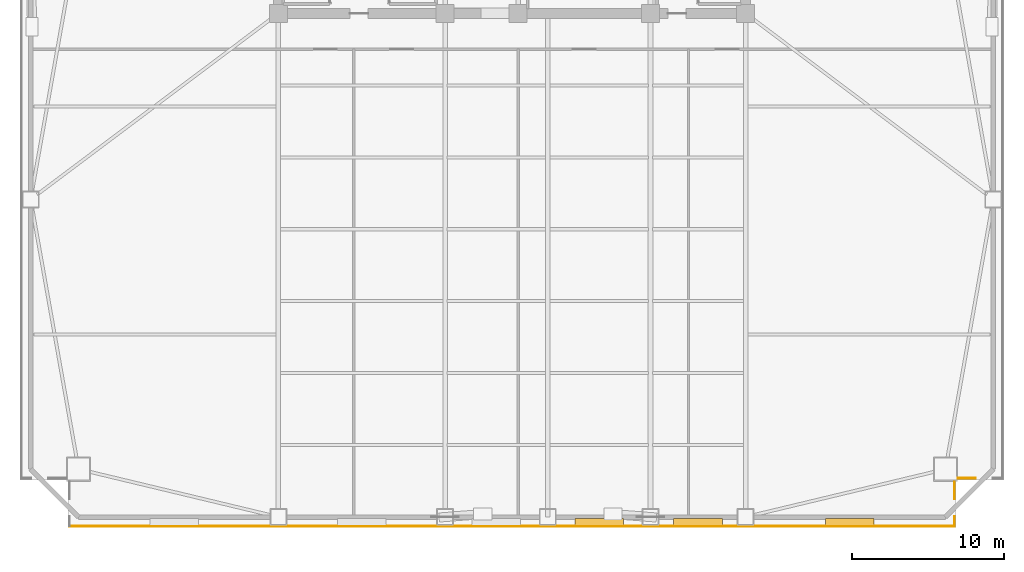
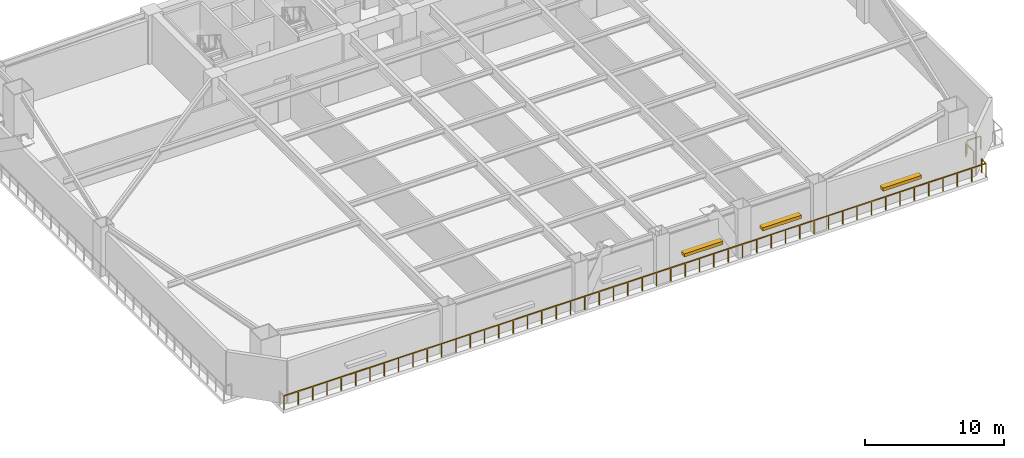
# One storey, part 6 of 9: 4 railings, 3 shading devices.
"""IFC4 building model written with IfcOpenShell, lengths in metres."""

from ifc_helpers import new_model, si_unit, direction, frame, origin, origin_2d, place, context, subcontext, project, spatial, rectangle, extrude, source, transform, mapped, material, type_object, element, save


model = new_model("IFC4")

# Units and contexts
model_context = context("Model", 3, precision=1e-05, world=origin(), true_north=direction((0.0, 1.0)))
body_context = subcontext(model_context, "Body", "Model", "MODEL_VIEW")
ifc_project = project(units=[si_unit("LENGTHUNIT", "METRE"), si_unit("AREAUNIT", "SQUARE_METRE"), si_unit("VOLUMEUNIT", "CUBIC_METRE"), si_unit("PLANEANGLEUNIT", "RADIAN"), si_unit("MASSUNIT", "GRAM", prefix="KILO")], contexts=[model_context])

# Site, building, storey
site_placement = place(None, origin())
site = spatial("IfcSite", under=ifc_project, at=site_placement, CompositionType="ELEMENT")
building_placement = place(site_placement, origin())
building = spatial("IfcBuilding", under=site, at=building_placement, Name="Giltprow Tower", CompositionType="ELEMENT")
storey_placement = place(building_placement, frame((0.0, 0.0, 48.800048828125)))
storey = spatial("IfcBuildingStorey", under=building, at=storey_placement, Name="L12", CompositionType="ELEMENT", Elevation=48.800048828125)

# Railings
ifc_material = material(Name="Anodized bronze", Category="metal")
railing_type = type_object("IfcRailingType", Name="RAIL-BALC-GUARD-1200", PredefinedType="BALUSTRADE", material=ifc_material)
railing_1_placement = place(storey_placement, frame((65.64990234375, 6.902099609375, 0.0)))
element("IfcRailing", 1, at=railing_1_placement, inside=storey, type_object=railing_type, Name="L12 Corner Apron Edge Balustrade 14", PredefinedType="BALUSTRADE", context=body_context, shape_type="SweptSolid", body=[
    extrude(rectangle(XDim=0.048095703125, YDim=0.048095703125, at=origin_2d()), frame((0.0, 0.0, 1.17578125), z_axis=(-1.0, 0.0, 0.0), x_axis=(0.0, -1.0, 0.0)), (0.0, 0.0, 1.0), 1.1328125),
    extrude(rectangle(XDim=0.0419921875, YDim=0.0419921875, at=origin_2d()), origin(), (0.0, 0.0, 1.0), 1.15185546875),
    extrude(rectangle(XDim=0.0419921875, YDim=0.0419921875, at=origin_2d()), frame((-1.1328125, 0.0, 0.0)), (0.0, 0.0, 1.0), 1.15185546875),
])
railing_2_placement = place(storey_placement, frame((64.281982421875, 6.6669921875, 0.0)))
element("IfcRailing", 2, at=railing_2_placement, inside=storey, type_object=railing_type, Name="L12 Corner Apron Edge Balustrade 15", PredefinedType="BALUSTRADE", context=body_context, shape_type="SweptSolid", body=[
    extrude(rectangle(XDim=0.048095703125, YDim=0.048095703125, at=origin_2d()), frame((0.0, 0.0, 1.17578125), z_axis=(0.0, -1.0, 0.0), x_axis=(1.0, 0.0, 0.0)), (0.0, 0.0, 1.0), 1.133056640625),
    extrude(rectangle(XDim=0.0419921875, YDim=0.0419921875, at=origin_2d()), origin(), (0.0, 0.0, 1.0), 1.15185546875),
    extrude(rectangle(XDim=0.0419921875, YDim=0.0419921875, at=origin_2d()), frame((0.0, -1.133056640625, 0.0)), (0.0, 0.0, 1.0), 1.15185546875),
])
railing_3_placement = place(storey_placement, frame((64.281982421875, 4.3740234375, 0.0)))
element("IfcRailing", 3, at=railing_3_placement, inside=storey, type_object=railing_type, Name="L12 Corner Apron Edge Balustrade 16", PredefinedType="BALUSTRADE", context=body_context, shape_type="SweptSolid", body=[
    extrude(rectangle(XDim=0.048095703125, YDim=0.048095703125, at=origin_2d()), frame((0.0, 0.0, 1.17578125), z_axis=(0.0, -1.0, 0.0), x_axis=(1.0, 0.0, 0.0)), (0.0, 0.0, 1.0), 0.6201171875),
    extrude(rectangle(XDim=0.0419921875, YDim=0.0419921875, at=origin_2d()), origin(), (0.0, 0.0, 1.0), 1.15185546875),
    extrude(rectangle(XDim=0.0419921875, YDim=0.0419921875, at=origin_2d()), frame((0.0, -0.6201171875, 0.0)), (0.0, 0.0, 1.0), 1.15185546875),
])
railing_4_placement = place(storey_placement, frame((64.281982421875, 3.75390625, 0.0)))
element("IfcRailing", 4, at=railing_4_placement, inside=storey, type_object=railing_type, Name="L12 Corner Apron Edge Balustrade 17", PredefinedType="BALUSTRADE", context=body_context, shape_type="SweptSolid", body=[
    extrude(rectangle(XDim=0.048095703125, YDim=0.048095703125, at=origin_2d()), frame((0.0, 0.0, 1.17578125), z_axis=(-1.0, 0.0, 0.0), x_axis=(0.0, -1.0, 0.0)), (0.0, 0.0, 1.0), 58.1640625),
    extrude(rectangle(XDim=0.0419921875, YDim=0.0419921875, at=origin_2d()), origin(), (0.0, 0.0, 1.0), 1.15185546875),
    extrude(rectangle(XDim=0.0419921875, YDim=0.0419921875, at=origin_2d()), frame((-1.18701171875, 0.0, 0.0)), (0.0, 0.0, 1.0), 1.15185546875),
    extrude(rectangle(XDim=0.0419921875, YDim=0.0419921875, at=origin_2d()), frame((-2.3740234375, 0.0, 0.0)), (0.0, 0.0, 1.0), 1.15185546875),
    extrude(rectangle(XDim=0.0419921875, YDim=0.0419921875, at=origin_2d()), frame((-3.56103515625, 0.0, 0.0)), (0.0, 0.0, 1.0), 1.15185546875),
    extrude(rectangle(XDim=0.0419921875, YDim=0.0419921875, at=origin_2d()), frame((-4.748046875, 0.0, 0.0)), (0.0, 0.0, 1.0), 1.15185546875),
    extrude(rectangle(XDim=0.0419921875, YDim=0.0419921875, at=origin_2d()), frame((-5.93505859375, 0.0, 0.0)), (0.0, 0.0, 1.0), 1.15185546875),
    extrude(rectangle(XDim=0.0419921875, YDim=0.0419921875, at=origin_2d()), frame((-7.1220703125, 0.0, 0.0)), (0.0, 0.0, 1.0), 1.15185546875),
    extrude(rectangle(XDim=0.0419921875, YDim=0.0419921875, at=origin_2d()), frame((-8.30908203125, 0.0, 0.0)), (0.0, 0.0, 1.0), 1.15185546875),
    extrude(rectangle(XDim=0.0419921875, YDim=0.0419921875, at=origin_2d()), frame((-9.49609375, 0.0, 0.0)), (0.0, 0.0, 1.0), 1.15185546875),
    extrude(rectangle(XDim=0.0419921875, YDim=0.0419921875, at=origin_2d()), frame((-10.68310546875, 0.0, 0.0)), (0.0, 0.0, 1.0), 1.15185546875),
    extrude(rectangle(XDim=0.0419921875, YDim=0.0419921875, at=origin_2d()), frame((-11.8701171875, 0.0, 0.0)), (0.0, 0.0, 1.0), 1.15185546875),
    extrude(rectangle(XDim=0.0419921875, YDim=0.0419921875, at=origin_2d()), frame((-13.05712890625, 0.0, 0.0)), (0.0, 0.0, 1.0), 1.15185546875),
    extrude(rectangle(XDim=0.0419921875, YDim=0.0419921875, at=origin_2d()), frame((-14.244140625, 0.0, 0.0)), (0.0, 0.0, 1.0), 1.15185546875),
    extrude(rectangle(XDim=0.0419921875, YDim=0.0419921875, at=origin_2d()), frame((-15.431396484375, 0.0, 0.0)), (0.0, 0.0, 1.0), 1.15185546875),
    extrude(rectangle(XDim=0.0419921875, YDim=0.0419921875, at=origin_2d()), frame((-16.618408203125, 0.0, 0.0)), (0.0, 0.0, 1.0), 1.15185546875),
    extrude(rectangle(XDim=0.0419921875, YDim=0.0419921875, at=origin_2d()), frame((-17.805419921875, 0.0, 0.0)), (0.0, 0.0, 1.0), 1.15185546875),
    extrude(rectangle(XDim=0.0419921875, YDim=0.0419921875, at=origin_2d()), frame((-18.992431640625, 0.0, 0.0)), (0.0, 0.0, 1.0), 1.15185546875),
    extrude(rectangle(XDim=0.0419921875, YDim=0.0419921875, at=origin_2d()), frame((-20.179443359375, 0.0, 0.0)), (0.0, 0.0, 1.0), 1.15185546875),
    extrude(rectangle(XDim=0.0419921875, YDim=0.0419921875, at=origin_2d()), frame((-21.366455078125, 0.0, 0.0)), (0.0, 0.0, 1.0), 1.15185546875),
    extrude(rectangle(XDim=0.0419921875, YDim=0.0419921875, at=origin_2d()), frame((-22.553466796875, 0.0, 0.0)), (0.0, 0.0, 1.0), 1.15185546875),
    extrude(rectangle(XDim=0.0419921875, YDim=0.0419921875, at=origin_2d()), frame((-23.740478515625, 0.0, 0.0)), (0.0, 0.0, 1.0), 1.15185546875),
    extrude(rectangle(XDim=0.0419921875, YDim=0.0419921875, at=origin_2d()), frame((-24.927490234375, 0.0, 0.0)), (0.0, 0.0, 1.0), 1.15185546875),
    extrude(rectangle(XDim=0.0419921875, YDim=0.0419921875, at=origin_2d()), frame((-26.114501953125, 0.0, 0.0)), (0.0, 0.0, 1.0), 1.15185546875),
    extrude(rectangle(XDim=0.0419921875, YDim=0.0419921875, at=origin_2d()), frame((-27.301513671875, 0.0, 0.0)), (0.0, 0.0, 1.0), 1.15185546875),
    extrude(rectangle(XDim=0.0419921875, YDim=0.0419921875, at=origin_2d()), frame((-28.488525390625, 0.0, 0.0)), (0.0, 0.0, 1.0), 1.15185546875),
    extrude(rectangle(XDim=0.0419921875, YDim=0.0419921875, at=origin_2d()), frame((-29.675537109375, 0.0, 0.0)), (0.0, 0.0, 1.0), 1.15185546875),
    extrude(rectangle(XDim=0.0419921875, YDim=0.0419921875, at=origin_2d()), frame((-30.862548828125, 0.0, 0.0)), (0.0, 0.0, 1.0), 1.15185546875),
    extrude(rectangle(XDim=0.0419921875, YDim=0.0419921875, at=origin_2d()), frame((-32.049560546875, 0.0, 0.0)), (0.0, 0.0, 1.0), 1.15185546875),
    extrude(rectangle(XDim=0.0419921875, YDim=0.0419921875, at=origin_2d()), frame((-33.236572265625, 0.0, 0.0)), (0.0, 0.0, 1.0), 1.15185546875),
    extrude(rectangle(XDim=0.0419921875, YDim=0.0419921875, at=origin_2d()), frame((-34.423583984375, 0.0, 0.0)), (0.0, 0.0, 1.0), 1.15185546875),
    extrude(rectangle(XDim=0.0419921875, YDim=0.0419921875, at=origin_2d()), frame((-35.610595703125, 0.0, 0.0)), (0.0, 0.0, 1.0), 1.15185546875),
    extrude(rectangle(XDim=0.0419921875, YDim=0.0419921875, at=origin_2d()), frame((-36.797607421875, 0.0, 0.0)), (0.0, 0.0, 1.0), 1.15185546875),
    extrude(rectangle(XDim=0.0419921875, YDim=0.0419921875, at=origin_2d()), frame((-37.984619140625, 0.0, 0.0)), (0.0, 0.0, 1.0), 1.15185546875),
    extrude(rectangle(XDim=0.0419921875, YDim=0.0419921875, at=origin_2d()), frame((-39.171630859375, 0.0, 0.0)), (0.0, 0.0, 1.0), 1.15185546875),
    extrude(rectangle(XDim=0.0419921875, YDim=0.0419921875, at=origin_2d()), frame((-40.358642578125, 0.0, 0.0)), (0.0, 0.0, 1.0), 1.15185546875),
    extrude(rectangle(XDim=0.0419921875, YDim=0.0419921875, at=origin_2d()), frame((-41.545654296875, 0.0, 0.0)), (0.0, 0.0, 1.0), 1.15185546875),
    extrude(rectangle(XDim=0.0419921875, YDim=0.0419921875, at=origin_2d()), frame((-42.732666015625, 0.0, 0.0)), (0.0, 0.0, 1.0), 1.15185546875),
    extrude(rectangle(XDim=0.0419921875, YDim=0.0419921875, at=origin_2d()), frame((-43.919921875, 0.0, 0.0)), (0.0, 0.0, 1.0), 1.15185546875),
    extrude(rectangle(XDim=0.0419921875, YDim=0.0419921875, at=origin_2d()), frame((-45.10693359375, 0.0, 0.0)), (0.0, 0.0, 1.0), 1.15185546875),
    extrude(rectangle(XDim=0.0419921875, YDim=0.0419921875, at=origin_2d()), frame((-46.2939453125, 0.0, 0.0)), (0.0, 0.0, 1.0), 1.15185546875),
    extrude(rectangle(XDim=0.0419921875, YDim=0.0419921875, at=origin_2d()), frame((-47.48095703125, 0.0, 0.0)), (0.0, 0.0, 1.0), 1.15185546875),
    extrude(rectangle(XDim=0.0419921875, YDim=0.0419921875, at=origin_2d()), frame((-48.66796875, 0.0, 0.0)), (0.0, 0.0, 1.0), 1.15185546875),
    extrude(rectangle(XDim=0.0419921875, YDim=0.0419921875, at=origin_2d()), frame((-49.85498046875, 0.0, 0.0)), (0.0, 0.0, 1.0), 1.15185546875),
    extrude(rectangle(XDim=0.0419921875, YDim=0.0419921875, at=origin_2d()), frame((-51.0419921875, 0.0, 0.0)), (0.0, 0.0, 1.0), 1.15185546875),
    extrude(rectangle(XDim=0.0419921875, YDim=0.0419921875, at=origin_2d()), frame((-52.22900390625, 0.0, 0.0)), (0.0, 0.0, 1.0), 1.15185546875),
    extrude(rectangle(XDim=0.0419921875, YDim=0.0419921875, at=origin_2d()), frame((-53.416015625, 0.0, 0.0)), (0.0, 0.0, 1.0), 1.15185546875),
    extrude(rectangle(XDim=0.0419921875, YDim=0.0419921875, at=origin_2d()), frame((-54.60302734375, 0.0, 0.0)), (0.0, 0.0, 1.0), 1.15185546875),
    extrude(rectangle(XDim=0.0419921875, YDim=0.0419921875, at=origin_2d()), frame((-55.7900390625, 0.0, 0.0)), (0.0, 0.0, 1.0), 1.15185546875),
    extrude(rectangle(XDim=0.0419921875, YDim=0.0419921875, at=origin_2d()), frame((-56.97705078125, 0.0, 0.0)), (0.0, 0.0, 1.0), 1.15185546875),
    extrude(rectangle(XDim=0.0419921875, YDim=0.0419921875, at=origin_2d()), frame((-58.1640625, 0.0, 0.0)), (0.0, 0.0, 1.0), 1.15185546875),
])

# Shading devices
shading_device_type = type_object("IfcShadingDeviceType", Name="SHD-LOUVRE-320", PredefinedType="JALOUSIE", material=ifc_material)
shared_shape = source(origin(), body_context, "Body", "SweptSolid", [
    extrude(rectangle(XDim=3.199951171875, YDim=0.449951171875, at=origin_2d()), origin(), (0.0, 0.0, 1.0), 0.280029296875),
])
for number, where, z_axis, x_axis, name in (
    (5, (40.925048828125, 4.0439453125, 1.66015625), (0.0, 0.0, 1.0), (1.0, 0.0, 0.0), "L12 Refuge Intake Louvre S-4"),
    (6, (47.425048828125, 4.0439453125, 1.66015625), (0.0, 0.0, 1.0), (1.0, 0.0, 0.0), "L12 Refuge Intake Louvre S-5"),
    (7, (57.39111328125, 4.0439453125, 1.66015625), (0.0, 0.0, 1.0), (1.0, 0.0, 0.0), "L12 Refuge Intake Louvre S-6"),
):
    element("IfcShadingDevice", number, at=place(storey_placement, frame(where, z_axis=z_axis, x_axis=x_axis)), inside=storey, type_object=shading_device_type, Name=name, PredefinedType="JALOUSIE", context=body_context, shape_type="MappedRepresentation", body=[
        mapped(shared_shape, transform((0.0, 0.0, 0.0), x_axis=(1.0, 0.0, 0.0), y_axis=(0.0, 1.0, 0.0), z_axis=(0.0, 0.0, 1.0), scale=1.0)),
    ])

save(model, "model.ifc")
